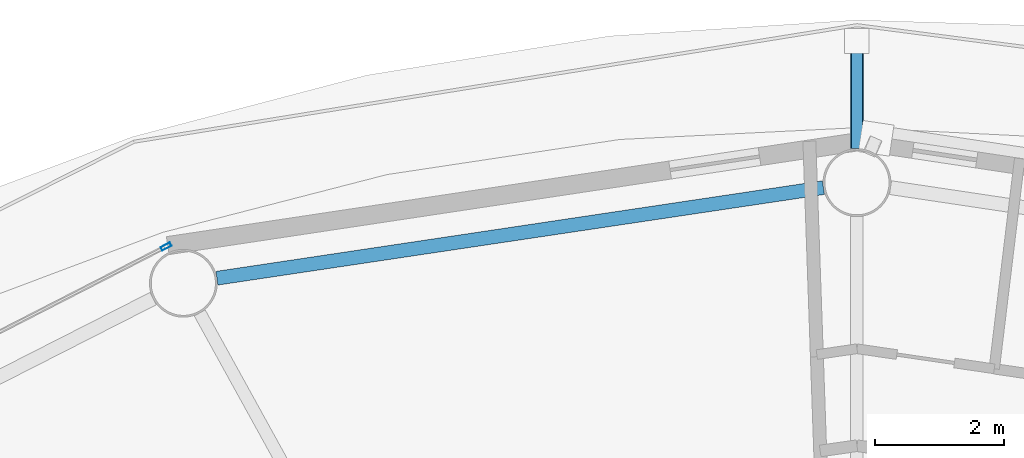
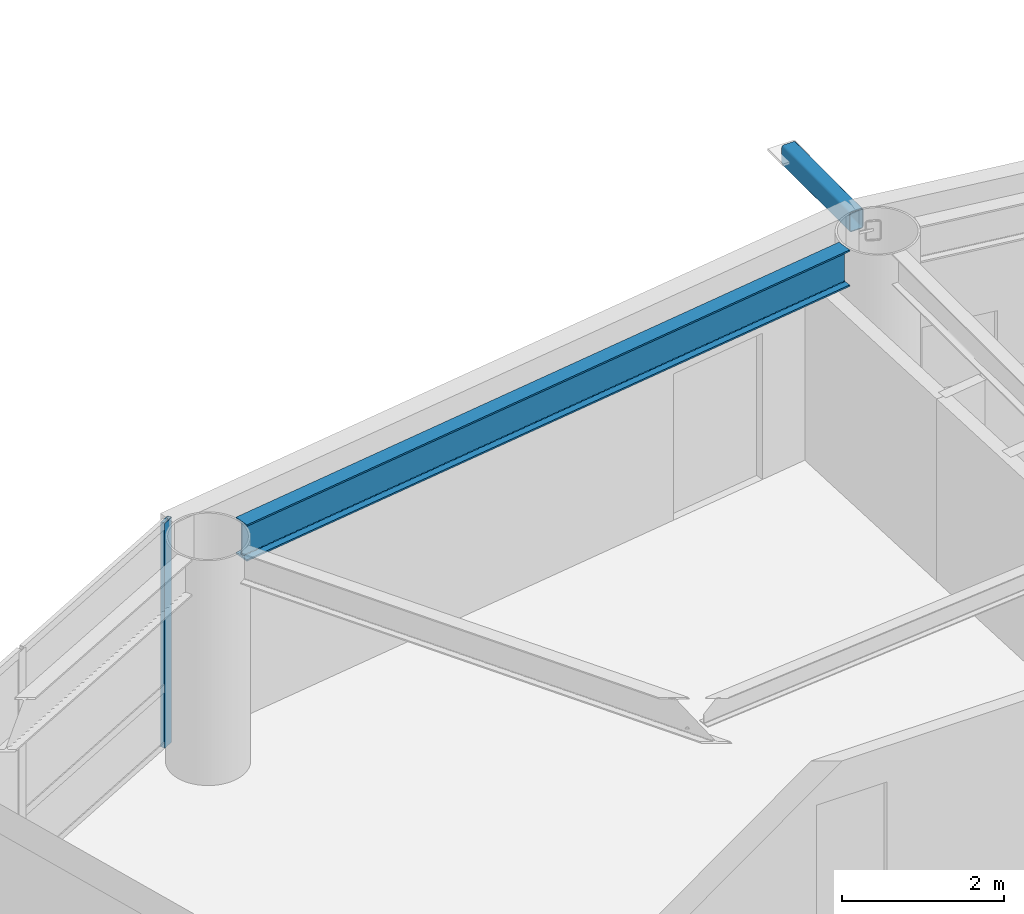
# One storey, part 13 of 30: 2 members, 1 beam, 1 element without a shape of its own.
"""IFC4 building model written with IfcOpenShell, lengths in metres."""

from ifc_helpers import new_model, si_unit, direction, frame, origin, origin_2d, place, context, subcontext, project, spatial, hollow_rectangle, i_section, extrude, material, layer, layer_set, material_profile, profile_set, type_object, element, aggregate, save


model = new_model("IFC4")

# Units and contexts
model_context = context("Model", 3, precision=1e-05, world=origin(), true_north=direction((0.0, 1.0)))
body_context = subcontext(model_context, "Body", "Model", "MODEL_VIEW")
ifc_project = project(units=[si_unit("LENGTHUNIT", "METRE"), si_unit("AREAUNIT", "SQUARE_METRE"), si_unit("VOLUMEUNIT", "CUBIC_METRE"), si_unit("PLANEANGLEUNIT", "RADIAN"), si_unit("MASSUNIT", "GRAM", prefix="KILO")], contexts=[model_context])

# Site, building, storey
site_placement = place(None, origin())
site = spatial("IfcSite", under=ifc_project, at=site_placement, CompositionType="ELEMENT")
building_placement = place(site_placement, origin())
building = spatial("IfcBuilding", under=site, at=building_placement, Name="Sarneth Arch Tower", CompositionType="ELEMENT")
storey_placement = place(building_placement, frame((0.0, 0.0, 161.39990234375)))
storey = spatial("IfcBuildingStorey", under=building, at=storey_placement, Name="L40", CompositionType="ELEMENT", Elevation=161.39990234375)

# Beam
ifc_material_1 = material(Name="Steel S355", Category="steel")
ifc_material_profile_1 = material_profile(ifc_material_1, i_section(OverallWidth=0.214111328125, OverallDepth=0.549072265625, WebThickness=0.0146484375, FlangeThickness=0.023681640625, FilletRadius=0.01806640625, at=origin_2d()), Name="W530x138")
ifc_profile_set_1 = profile_set([ifc_material_profile_1], Name="Steel S355")
beam_type = type_object("IfcBeamType", Name="BM-RAD-530A", PredefinedType="BEAM", material=ifc_profile_set_1)
beam_placement = place(storey_placement, frame((47.480712890625, 62.37255859375, 3.105712890625), z_axis=(-0.989027145133, -0.14773390332, 0.0), x_axis=(0.14773390332, -0.989027145133, 0.0)))
element("IfcBeam", 1, at=beam_placement, inside=storey, type_object=beam_type, Name="L40 Perimeter spandrel beam 05", PredefinedType="BEAM", context=body_context, shape_type="SweptSolid", body=[
    extrude(i_section(OverallWidth=0.214111328125, OverallDepth=0.549072265625, WebThickness=0.0146484375, FlangeThickness=0.023681640625, FilletRadius=0.01806640625, at=origin_2d()), origin(), (0.0, 0.0, 1.0), 9.4873046875),
])

# Curtain wall, member
ifc_material_2 = material(Name="Anodised aluminium Type AA25 and solar-control low-e laminated IGU", Category="aluminium")
ifc_layer = layer(ifc_material_2, 0.169921875)
ifc_layer_set = layer_set([ifc_layer], Name="Anodised aluminium Type AA25 and solar-control low-e laminated IGU")
curtain_wall_type = type_object("IfcCurtainWallType", Name="CW-RES-MID", PredefinedType="NOTDEFINED", material=ifc_layer_set)
curtain_wall_placement = place(storey_placement, origin())
curtain_wall = element("IfcCurtainWall", 2, at=curtain_wall_placement, inside=storey, type_object=curtain_wall_type, Name="L40 Unitised curtain wall facet 06", PredefinedType="NOTDEFINED")
ifc_material_3 = material(Name="Anodised Aluminium 6063-T6", Category="aluminium")
ifc_material_profile_2 = material_profile(ifc_material_3, hollow_rectangle(XDim=0.06005859375, YDim=0.159912109375, WallThickness=0.00390625, at=origin_2d()), Name="AL-MULL-160x60x4")
ifc_profile_set_2 = profile_set([ifc_material_profile_2], Name="Anodised Aluminium 6063-T6")
member_type_1 = type_object("IfcMemberType", Name="CW-MULLION", PredefinedType="MULLION", material=ifc_profile_set_2)
member_1_placement = place(storey_placement, frame((37.310546875, 61.461669921875, 0.0), z_axis=(0.0, 0.0, 1.0), x_axis=(0.456208470329, -0.88987293003, 0.0)))
member_1 = element("IfcMember", 3, at=member_1_placement, type_object=member_type_1, Name="CW-SYS-5 mullion 1", PredefinedType="MULLION", context=body_context, shape_type="SweptSolid", body=[
    extrude(hollow_rectangle(XDim=0.06005859375, YDim=0.159912109375, WallThickness=0.00390625, at=origin_2d()), origin(), (0.0, 0.0, 1.0), 3.380126953125),
])
aggregate(curtain_wall, [member_1])

# Member
ifc_material_4 = material(Name="Steel S355", Category="steel")
ifc_material_profile_3 = material_profile(ifc_material_4, hollow_rectangle(XDim=0.199951171875, YDim=0.300048828125, WallThickness=0.012451171875, InnerFilletRadius=0.018798828125, OuterFilletRadius=0.03125, at=origin_2d()), Name="RHS300x200x12.5")
ifc_profile_set_3 = profile_set([ifc_material_profile_3], Name="Steel S355")
member_type_2 = type_object("IfcMemberType", Name="MEM-CANT-STRUT", PredefinedType="STRUT", material=ifc_profile_set_3)
member_2_placement = place(storey_placement, frame((48.0, 62.97509765625, 3.22021484375), z_axis=(0.0, 1.0, 0.0), x_axis=(-1.0, 0.0, 0.0)))
element("IfcMember", 4, at=member_2_placement, inside=storey, type_object=member_type_2, Name="L40 Balcony cantilever bracket 05", PredefinedType="STRUT", context=body_context, shape_type="SweptSolid", body=[
    extrude(hollow_rectangle(XDim=0.199951171875, YDim=0.300048828125, WallThickness=0.012451171875, InnerFilletRadius=0.018798828125, OuterFilletRadius=0.03125, at=origin_2d()), origin(), (0.0, 0.0, 1.0), 1.665771484375),
])

save(model, "model.ifc")
